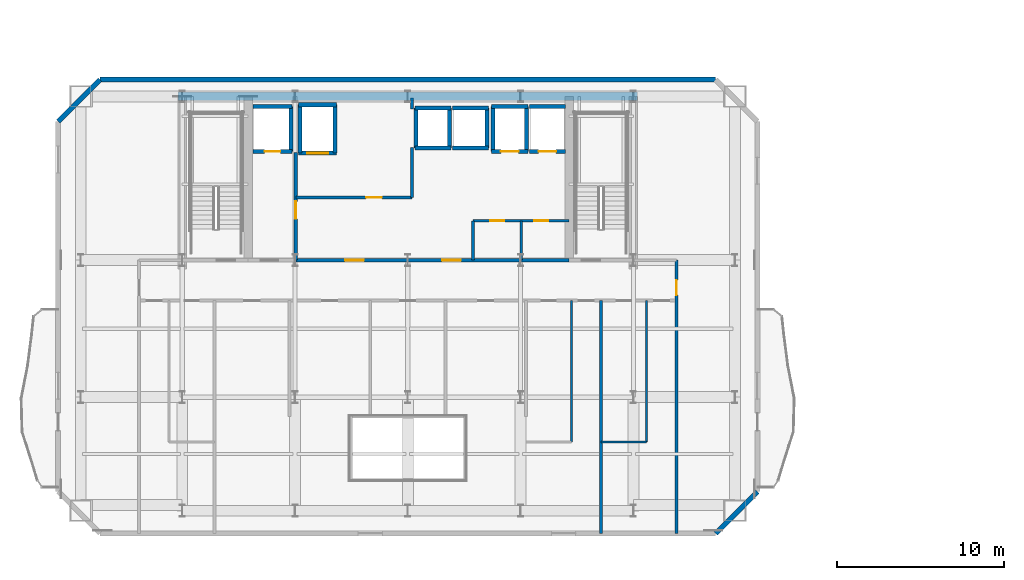
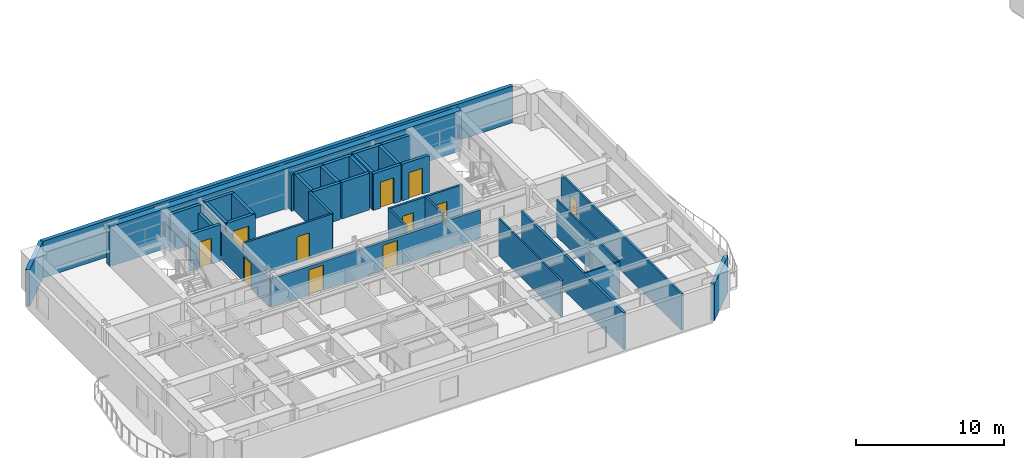
# One storey, part 8 of 16: 37 walls, 11 doors, 11 openings.
"""IFC4 building model written with IfcOpenShell, lengths in metres."""

import ifcopenshell
import ifcopenshell.guid

model = None  # the IFC model being written
_history = None  # IfcOwnerHistory: only IFC2X3 demands one
_inside = {}  # id of a spatial element -> (the spatial element, [elements in it])
_under = {}  # id of a project, library or spatial element -> (it, [spatial elements below it])
_declared = {}  # id of a project -> (the project, [libraries it declares])
_typed = {}  # id of a type object -> (the type object, [elements of that type])
_made_of = {}  # id of a material, layer set ... -> (it, [elements and type objects made of it])


def new_model(schema):
    """Start an empty IFC model of exactly this schema.

    Asked for "IFC4X3", IfcOpenShell would pick the latest addendum, in which some entities
    have other attributes; the version numbers below select the first issue.
    IFC2X3 requires an IfcOwnerHistory on every rooted entity: one is made here for all.
    """
    global model, _history
    if schema == "IFC4X3":
        model = ifcopenshell.file(schema_version=(4, 3, 0, 0))
    else:
        model = ifcopenshell.file(schema=schema)
    _inside.clear()
    _under.clear()
    _declared.clear()
    _typed.clear()
    _made_of.clear()
    _history = None
    if model.schema == "IFC2X3":
        org = make("IfcOrganization", Name="unknown")
        user = make(
            "IfcPersonAndOrganization",
            ThePerson=make("IfcPerson", FamilyName="unknown"),
            TheOrganization=org,
        )
        app = make(
            "IfcApplication",
            ApplicationDeveloper=org,
            Version="unknown",
            ApplicationFullName="unknown",
            ApplicationIdentifier="unknown",
        )
        _history = make(
            "IfcOwnerHistory",
            OwningUser=user,
            OwningApplication=app,
            ChangeAction="ADDED",
            CreationDate=0,
        )
    return model


def make(cls, **values):
    """One entity of the class cls with the attributes given. An attribute that is None is left unset."""
    return model.create_entity(
        cls, **{name: value for name, value in values.items() if value is not None}
    )


def rooted(cls, **values):
    """An entity with a GlobalId (a new one), such as an element, a storey or a relation."""
    return make(cls, GlobalId=ifcopenshell.guid.new(), OwnerHistory=_history, **values)


def si_unit(unit_type, name, prefix=None):
    """IfcSIUnit, for example si_unit("LENGTHUNIT", "METRE", prefix="MILLI")."""
    return make("IfcSIUnit", UnitType=unit_type, Prefix=prefix, Name=name)


def assignment(units):
    """IfcUnitAssignment: the units of a project."""
    return None if units is None else make("IfcUnitAssignment", Units=units)


def point(xyz):
    """IfcCartesianPoint."""
    return None if xyz is None else make("IfcCartesianPoint", Coordinates=xyz)


def direction(xyz):
    """IfcDirection."""
    return None if xyz is None else make("IfcDirection", DirectionRatios=xyz)


def frame(location, z_axis=None, x_axis=None):
    """IfcAxis2Placement3D, a coordinate frame: its origin and axes. An axis left out is left unset."""
    return make(
        "IfcAxis2Placement3D",
        Location=point(location),
        Axis=direction(z_axis),
        RefDirection=direction(x_axis),
    )


def frame_2d(location, x_axis=None):
    """IfcAxis2Placement2D, a coordinate frame in the plane: its origin and x axis."""
    return make(
        "IfcAxis2Placement2D", Location=point(location), RefDirection=direction(x_axis)
    )


def origin():
    """The frame at (0, 0, 0) with its axes left unset."""
    return frame((0.0, 0.0, 0.0))


def place(relative_to, where):
    """IfcLocalPlacement: puts the frame where relative to a parent placement (None: the world)."""
    return make(
        "IfcLocalPlacement", PlacementRelTo=relative_to, RelativePlacement=where
    )


def context(
    kind, dimensions, precision=None, world=None, true_north=None, identifier=None
):
    """IfcGeometricRepresentationContext, for example the 3D "Model" context."""
    return make(
        "IfcGeometricRepresentationContext",
        ContextIdentifier=identifier,
        ContextType=kind,
        CoordinateSpaceDimension=dimensions,
        Precision=precision,
        WorldCoordinateSystem=world,
        TrueNorth=true_north,
    )


def subcontext(parent, identifier, kind, view, scale=None):
    """IfcGeometricRepresentationSubContext, for example "Body" below "Model"."""
    return make(
        "IfcGeometricRepresentationSubContext",
        ContextIdentifier=identifier,
        ContextType=kind,
        ParentContext=parent,
        TargetScale=scale,
        TargetView=view,
    )


def project(units=None, contexts=None):
    """IfcProject with its units and contexts."""
    return rooted(
        "IfcProject",
        Name="project",
        RepresentationContexts=contexts,
        UnitsInContext=assignment(units),
    )


def spatial(cls, under=None, at=None, **own):
    """A site, building, storey or space (cls), placed at a placement, below another one or the project."""
    s = rooted(cls, ObjectPlacement=at, **own)
    if under is not None:
        _under.setdefault(under.id(), (under, []))[1].append(s)
    return s


def profile(cls, at=None, kind="AREA", **sizes):
    """A parametric profile (cls). Its sizes go by their IFC names, for example OverallWidth=200.0."""
    return make(cls, ProfileType=kind, Position=at, **sizes)


def rectangle(**sizes):
    """IfcRectangleProfileDef."""
    return profile("IfcRectangleProfileDef", **sizes)


def extrude(swept, where, along, depth):
    """IfcExtrudedAreaSolid: the profile swept, set in the frame where, extruded along a direction by depth."""
    return make(
        "IfcExtrudedAreaSolid",
        SweptArea=swept,
        Position=where,
        ExtrudedDirection=direction(along),
        Depth=depth,
    )


def shape(context_of_items, identifier, shape_type, items):
    """IfcShapeRepresentation: the items that make up one representation, for example the "Body"."""
    return make(
        "IfcShapeRepresentation",
        ContextOfItems=context_of_items,
        RepresentationIdentifier=identifier,
        RepresentationType=shape_type,
        Items=items,
    )


def material(Name=None, Category=None):
    """IfcMaterial."""
    return make("IfcMaterial", Name=Name, Category=Category)


def layer(
    of_material, thickness, ventilated=None, Name=None, Category=None, Priority=None
):
    """IfcMaterialLayer: one layer of a wall or slab, of a material (None: an air gap)."""
    return make(
        "IfcMaterialLayer",
        Material=of_material,
        LayerThickness=thickness,
        IsVentilated=ventilated,
        Name=Name,
        Category=Category,
        Priority=Priority,
    )


def layer_set(layers, Name=None):
    """IfcMaterialLayerSet."""
    return make("IfcMaterialLayerSet", MaterialLayers=layers, LayerSetName=Name)


def made_of(thing, what):
    """Note that an element or type object is made of a material, layer set ...; save() writes the relation."""
    if what is not None:
        _made_of.setdefault(what.id(), (what, []))[1].append(thing)
    return thing


def type_object(cls, material=None, **own):
    """A type object (cls), such as IfcWallType, which elements share."""
    return made_of(rooted(cls, **own), material)


def element(
    cls,
    number,
    at=None,
    inside=None,
    cuts=None,
    type_object=None,
    material=None,
    context=None,
    identifier="Body",
    shape_type=None,
    held_by="IfcProductDefinitionShape",
    body=None,
    shapes=None,
    **own,
):
    """One element of the class cls, such as IfcWall. Its Tag is "e" and its number.

    at: its placement. inside: the storey or other place that contains it. cuts: it is an
    opening in that element (IfcRelVoidsElement). A single representation is given by context,
    identifier, shape_type and body (its items); several are given by shapes. held_by: the class
    of the entity that holds the representations. save() writes the other relations.
    """
    e = rooted(cls, Tag="e%d" % number, ObjectPlacement=at, **own)
    if body is not None:
        shapes = [shape(context, identifier, shape_type, body)]
    if shapes is not None:
        e.Representation = make(held_by, Representations=shapes)
    if inside is not None:
        _inside.setdefault(inside.id(), (inside, []))[1].append(e)
    if cuts is not None:
        rooted(
            "IfcRelVoidsElement", RelatingBuildingElement=cuts, RelatedOpeningElement=e
        )
    if type_object is not None:
        _typed.setdefault(type_object.id(), (type_object, []))[1].append(e)
    return made_of(e, material)


def fill(opening, filler):
    """IfcRelFillsElement: the door or window that sits in an opening."""
    return rooted(
        "IfcRelFillsElement",
        RelatingOpeningElement=opening,
        RelatedBuildingElement=filler,
    )


def aggregate(whole, parts):
    """IfcRelAggregates: a whole, such as a stair, and the parts it consists of."""
    return rooted("IfcRelAggregates", RelatingObject=whole, RelatedObjects=parts)


def save(model, path):
    """Write the relations noted so far, then the file.

    IfcRelAggregates (storeys below a building ...), IfcRelContainedInSpatialStructure (elements
    in a storey), IfcRelDefinesByType, IfcRelAssociatesMaterial and IfcRelDeclares: one each for
    every whole, place, type object, material and project.
    """
    for whole, parts in _under.values():
        aggregate(whole, parts)
    for where, things in _inside.values():
        rooted(
            "IfcRelContainedInSpatialStructure",
            RelatedElements=things,
            RelatingStructure=where,
        )
    for kind, things in _typed.values():
        rooted("IfcRelDefinesByType", RelatedObjects=things, RelatingType=kind)
    for what, things in _made_of.values():
        rooted("IfcRelAssociatesMaterial", RelatedObjects=things, RelatingMaterial=what)
    for by, libraries in _declared.values():
        rooted("IfcRelDeclares", RelatingContext=by, RelatedDefinitions=libraries)
    model.write(path)


model = new_model("IFC4")

# Units and contexts
model_context = context("Model", 3, precision=1e-05, world=origin(), true_north=direction((0.0, 1.0)))
body_context = subcontext(model_context, "Body", "Model", "MODEL_VIEW")
ifc_project = project(units=[si_unit("LENGTHUNIT", "METRE"), si_unit("AREAUNIT", "SQUARE_METRE"), si_unit("VOLUMEUNIT", "CUBIC_METRE"), si_unit("PLANEANGLEUNIT", "RADIAN"), si_unit("MASSUNIT", "GRAM", prefix="KILO")], contexts=[model_context])

# Site, building, storey
site_placement = place(None, origin())
site = spatial("IfcSite", under=ifc_project, at=site_placement, CompositionType="ELEMENT")
building_placement = place(site_placement, origin())
building = spatial("IfcBuilding", under=site, at=building_placement, Name="Haevon Station Towers", CompositionType="ELEMENT")
storey_placement = place(building_placement, frame((0.0, 0.0, 172.5)))
storey = spatial("IfcBuildingStorey", under=building, at=storey_placement, Name="L47", CompositionType="ELEMENT", Elevation=172.5)

# Wall
ifc_material_1 = material(Name="Gypsum board on steel stud", Category="steel")
ifc_layer_1 = layer(ifc_material_1, 0.179931640625)
ifc_layer_set_1 = layer_set([ifc_layer_1], Name="Gypsum board on steel stud")
wall_type_1 = type_object("IfcWallType", Name="WL-ACU180", PredefinedType="PARTITIONING", material=ifc_layer_set_1)
wall_1_placement = place(storey_placement, frame((49.073974609375, 21.85009765625, 0.0), z_axis=(0.0, 0.0, 1.0), x_axis=(0.0, 1.0, 0.0)))
element("IfcWall", 1, at=wall_1_placement, inside=storey, type_object=wall_type_1, Name="WL-T1PT-L47-21", PredefinedType="PARTITIONING", context=body_context, shape_type="SweptSolid", body=[
    extrude(rectangle(XDim=13.929931640625, YDim=0.179931640625, at=frame_2d((6.96484375, 0.0))), origin(), (0.0, 0.0, 1.0), 3.030029296875),
])

# Wall, opening, door
ifc_layer_2 = layer(ifc_material_1, 0.199951171875)
ifc_layer_set_2 = layer_set([ifc_layer_2], Name="Gypsum board on steel stud")
wall_type_2 = type_object("IfcWallType", Name="WL-COR200", PredefinedType="PARTITIONING", material=ifc_layer_set_2)
wall_2_placement = place(storey_placement, frame((30.800048828125, 38.199951171875, 0.0), z_axis=(0.0, 0.0, 1.0), x_axis=(0.0, 1.0, 0.0)))
wall_2 = element("IfcWall", 2, at=wall_2_placement, inside=storey, type_object=wall_type_2, Name="WL-T1FFL-L47-E", PredefinedType="PARTITIONING", context=body_context, shape_type="SweptSolid", body=[
    extrude(rectangle(XDim=6.449951171875, YDim=0.199951171875, at=frame_2d((3.22509765625, 0.0))), origin(), (0.0, 0.0, 1.0), 2.3798828125),
])
opening_1_placement = place(wall_2_placement, frame((2.469970703125, 0.0, 0.0)))
opening_1 = element("IfcOpeningElement", 3, at=opening_1_placement, cuts=wall_2, Name="Opening DR-T1FFL-L47-E", PredefinedType="OPENING", context=body_context, shape_type="SweptSolid", body=[
    extrude(rectangle(XDim=1.050048828125, YDim=2.10009765625, at=frame_2d((0.52490234375, 1.050048828125))), frame((0.0, 0.10986328125, 0.0), z_axis=(0.0, -1.0, 0.0), x_axis=(1.0, 0.0, 0.0)), (0.0, 0.0, 1.0), 0.219970703125),
])
ifc_material_2 = material(Name="Engineered oak timber", Category="wood")
door_type_1 = type_object("IfcDoorType", Name="DR-FD60-1050", OperationType="NOTDEFINED", PredefinedType="DOOR", material=ifc_material_2)
door_1_placement = place(opening_1_placement, origin())
door_1 = element("IfcDoor", 4, at=door_1_placement, inside=storey, type_object=door_type_1, Name="L47 Tower 1 Firefighting Lift Lobby Door E", OperationType="SINGLE_SWING_RIGHT", OverallHeight=2.10009765625, OverallWidth=1.050048828125, PredefinedType="DOOR", context=body_context, shape_type="SweptSolid", body=[
    extrude(rectangle(XDim=1.050048828125, YDim=2.10009765625, at=frame_2d((0.52490234375, 1.050048828125))), frame((0.0, 0.02490234375, 0.0), z_axis=(0.0, -1.0, 0.0), x_axis=(1.0, 0.0, 0.0)), (0.0, 0.0, 1.0), 0.050048828125),
])
fill(opening_1, door_1)

# Wall, openings, doors
wall_3_placement = place(storey_placement, frame((30.800048828125, 38.199951171875, 0.0), z_axis=(0.0, 0.0, 1.0), x_axis=(1.0, 0.0, 0.0)))
wall_3 = element("IfcWall", 5, at=wall_3_placement, inside=storey, type_object=wall_type_2, Name="WL-T1CLB-L47", PredefinedType="PARTITIONING", context=body_context, shape_type="SweptSolid", body=[
    extrude(rectangle(XDim=16.349853515625, YDim=0.199951171875, at=frame_2d((8.1748046875, 0.0))), origin(), (0.0, 0.0, 1.0), 2.3798828125),
])
opening_2_placement = place(wall_3_placement, frame((2.949951171875, 0.0, 0.0)))
opening_2 = element("IfcOpeningElement", 6, at=opening_2_placement, cuts=wall_3, Name="Opening DR-T1CLB-L47-1", PredefinedType="OPENING", context=body_context, shape_type="SweptSolid", body=[
    extrude(rectangle(XDim=1.1201171875, YDim=2.10009765625, at=frame_2d((0.56005859375, 1.050048828125))), frame((0.0, 0.10986328125, 0.0), z_axis=(0.0, -1.0, 0.0), x_axis=(1.0, 0.0, 0.0)), (0.0, 0.0, 1.0), 0.219970703125),
])
opening_3_placement = place(wall_3_placement, frame((8.75, 0.0, 0.0)))
opening_3 = element("IfcOpeningElement", 7, at=opening_3_placement, cuts=wall_3, Name="Opening DR-T1CLB-L47-2", PredefinedType="OPENING", context=body_context, shape_type="SweptSolid", body=[
    extrude(rectangle(XDim=1.1201171875, YDim=2.10009765625, at=frame_2d((0.56005859375, 1.050048828125))), frame((0.0, 0.10986328125, 0.0), z_axis=(0.0, -1.0, 0.0), x_axis=(1.0, 0.0, 0.0)), (0.0, 0.0, 1.0), 0.219970703125),
])
door_type_2 = type_object("IfcDoorType", Name="DR-ST-1120", OperationType="NOTDEFINED", PredefinedType="DOOR", material=ifc_material_2)
door_2_placement = place(opening_2_placement, origin())
door_2 = element("IfcDoor", 8, at=door_2_placement, inside=storey, type_object=door_type_2, Name="L47 Tower 1 Core Lift Lobby Door 1", OperationType="SINGLE_SWING_RIGHT", OverallHeight=2.10009765625, OverallWidth=1.1201171875, PredefinedType="DOOR", context=body_context, shape_type="SweptSolid", body=[
    extrude(rectangle(XDim=1.1201171875, YDim=2.10009765625, at=frame_2d((0.56005859375, 1.050048828125))), frame((0.0, 0.02490234375, 0.0), z_axis=(0.0, -1.0, 0.0), x_axis=(1.0, 0.0, 0.0)), (0.0, 0.0, 1.0), 0.050048828125),
])
fill(opening_2, door_2)
door_3_placement = place(opening_3_placement, origin())
door_3 = element("IfcDoor", 9, at=door_3_placement, inside=storey, type_object=door_type_2, Name="L47 Tower 1 Core Lift Lobby Door 2", OperationType="SINGLE_SWING_LEFT", OverallHeight=2.10009765625, OverallWidth=1.1201171875, PredefinedType="DOOR", context=body_context, shape_type="SweptSolid", body=[
    extrude(rectangle(XDim=1.1201171875, YDim=2.10009765625, at=frame_2d((0.56005859375, 1.050048828125))), frame((0.0, 0.02490234375, 0.0), z_axis=(0.0, -1.0, 0.0), x_axis=(1.0, 0.0, 0.0)), (0.0, 0.0, 1.0), 0.050048828125),
])
fill(opening_3, door_3)

# Walls
ifc_material_3 = material(Name="Concrete C60/75", Category="concrete")
ifc_layer_3 = layer(ifc_material_3, 0.5)
ifc_layer_set_3 = layer_set([ifc_layer_3], Name="Concrete C60/75")
wall_type_3 = type_object("IfcWallType", Name="WL-CR500", PredefinedType="SHEAR", material=ifc_layer_set_3)
wall_4_placement = place(storey_placement, frame((23.75, 48.0, 0.0), z_axis=(0.0, 0.0, 1.0), x_axis=(1.0, 0.0, 0.0)))
element("IfcWall", 10, at=wall_4_placement, inside=storey, type_object=wall_type_3, Name="WL-T1CR-L47-N", PredefinedType="SHEAR", context=body_context, shape_type="SweptSolid", body=[
    extrude(rectangle(XDim=27.5, YDim=0.5, at=frame_2d((13.75, 0.0))), origin(), (0.0, 0.0, 1.0), 3.300048828125),
])
ifc_material_4 = material(Name="Precast concrete C45/55", Category="concrete")
ifc_layer_4 = layer(ifc_material_4, 0.300048828125)
ifc_layer_set_4 = layer_set([ifc_layer_4], Name="Precast concrete C45/55")
wall_type_4 = type_object("IfcWallType", Name="WL-EXT-PIER300", PredefinedType="SOLIDWALL", material=ifc_layer_set_4)
wall_5_placement = place(storey_placement, frame((16.574951171875, 46.5, 0.0), z_axis=(0.0, 0.0, 1.0), x_axis=(0.707106781187, 0.707106781187, 0.0)))
element("IfcWall", 11, at=wall_5_placement, inside=storey, type_object=wall_type_4, Name="WL-T1-L47-NWC", PredefinedType="SOLIDWALL", context=body_context, shape_type="SweptSolid", body=[
    extrude(rectangle(XDim=3.53564453125, YDim=0.300048828125, at=frame_2d((1.767822265625, 0.0))), origin(), (0.0, 0.0, 1.0), 3.030029296875),
])
wall_6_placement = place(storey_placement, frame((19.074951171875, 49.0, 0.0), z_axis=(0.0, 0.0, 1.0), x_axis=(1.0, 0.0, 0.0)))
element("IfcWall", 12, at=wall_6_placement, inside=storey, type_object=wall_type_4, Name="WL-T1-L47-N", PredefinedType="SOLIDWALL", context=body_context, shape_type="SweptSolid", body=[
    extrude(rectangle(XDim=36.85009765625, YDim=0.300048828125, at=frame_2d((18.425048828125, 0.0))), origin(), (0.0, 0.0, 1.0), 3.030029296875),
])
wall_7_placement = place(storey_placement, frame((58.425048828125, 24.35009765625, 0.0), z_axis=(0.0, 0.0, 1.0), x_axis=(-0.707106781187, -0.707106781187, 0.0)))
element("IfcWall", 13, at=wall_7_placement, inside=storey, type_object=wall_type_4, Name="WL-T1-L47-SEC", PredefinedType="SOLIDWALL", context=body_context, shape_type="SweptSolid", body=[
    extrude(rectangle(XDim=3.53564453125, YDim=0.300048828125, at=frame_2d((1.767822265625, 0.0))), origin(), (0.0, 0.0, 1.0), 3.030029296875),
])
ifc_layer_5 = layer(ifc_material_1, 0.125)
ifc_layer_set_5 = layer_set([ifc_layer_5], Name="Gypsum board on steel stud")
wall_type_5 = type_object("IfcWallType", Name="WL-PRT125", PredefinedType="PARTITIONING", material=ifc_layer_set_5)
wall_8_placement = place(storey_placement, frame((47.2939453125, 27.317138671875, 0.0), z_axis=(0.0, 0.0, 1.0), x_axis=(0.0, 1.0, 0.0)))
element("IfcWall", 14, at=wall_8_placement, inside=storey, type_object=wall_type_5, Name="WL-T1PT-L47-20", PredefinedType="PARTITIONING", context=body_context, shape_type="SweptSolid", body=[
    extrude(rectangle(XDim=8.462890625, YDim=0.125, at=frame_2d((4.2314453125, 0.0))), origin(), (0.0, 0.0, 1.0), 3.030029296875),
])
wall_9_placement = place(storey_placement, frame((49.073974609375, 27.317138671875, 0.0), z_axis=(0.0, 0.0, 1.0), x_axis=(1.0, 0.0, 0.0)))
element("IfcWall", 15, at=wall_9_placement, inside=storey, type_object=wall_type_5, Name="WL-T1PT-L47-22", PredefinedType="PARTITIONING", context=body_context, shape_type="SweptSolid", body=[
    extrude(rectangle(XDim=2.720947265625, YDim=0.125, at=frame_2d((1.3603515625, 0.0))), origin(), (0.0, 0.0, 1.0), 3.030029296875),
])
wall_10_placement = place(storey_placement, frame((51.794921875, 27.317138671875, 0.0), z_axis=(0.0, 0.0, 1.0), x_axis=(0.0, 1.0, 0.0)))
element("IfcWall", 16, at=wall_10_placement, inside=storey, type_object=wall_type_5, Name="WL-T1PT-L47-23", PredefinedType="PARTITIONING", context=body_context, shape_type="SweptSolid", body=[
    extrude(rectangle(XDim=8.462890625, YDim=0.125, at=frame_2d((4.2314453125, 0.0))), origin(), (0.0, 0.0, 1.0), 3.030029296875),
])

# Wall, opening, door
ifc_layer_6 = layer(ifc_material_1, 0.159912109375)
ifc_layer_set_6 = layer_set([ifc_layer_6], Name="Gypsum board on steel stud")
wall_type_6 = type_object("IfcWallType", Name="WL-PRT160", PredefinedType="PARTITIONING", material=ifc_layer_set_6)
wall_11_placement = place(storey_placement, frame((30.800048828125, 41.949951171875, 0.0), z_axis=(0.0, 0.0, 1.0), x_axis=(1.0, 0.0, 0.0)))
wall_11 = element("IfcWall", 17, at=wall_11_placement, inside=storey, type_object=wall_type_6, Name="WL-T1CW-L47-01", PredefinedType="PARTITIONING", context=body_context, shape_type="SweptSolid", body=[
    extrude(rectangle(XDim=6.949951171875, YDim=0.159912109375, at=frame_2d((3.47509765625, 0.0))), origin(), (0.0, 0.0, 1.0), 3.030029296875),
])
opening_4_placement = place(wall_11_placement, frame((4.199951171875, 0.0, 0.0)))
opening_4 = element("IfcOpeningElement", 18, at=opening_4_placement, cuts=wall_11, Name="Opening DR-WL-T1CW-L47-01-1", PredefinedType="OPENING", context=body_context, shape_type="SweptSolid", body=[
    extrude(rectangle(XDim=0.949951171875, YDim=2.10009765625, at=frame_2d((0.47509765625, 1.050048828125))), frame((0.0, 0.08984375, 0.0), z_axis=(0.0, -1.0, 0.0), x_axis=(1.0, 0.0, 0.0)), (0.0, 0.0, 1.0), 0.179931640625),
])
door_type_3 = type_object("IfcDoorType", Name="DR-FD60-950", OperationType="NOTDEFINED", PredefinedType="DOOR", material=ifc_material_2)
door_4_placement = place(opening_4_placement, origin())
door_4 = element("IfcDoor", 19, at=door_4_placement, inside=storey, type_object=door_type_3, Name="L47 Tower 1 Core Room Door 1-1", OperationType="SINGLE_SWING_RIGHT", OverallHeight=2.10009765625, OverallWidth=0.949951171875, PredefinedType="DOOR", context=body_context, shape_type="SweptSolid", body=[
    extrude(rectangle(XDim=0.949951171875, YDim=2.10009765625, at=frame_2d((0.47509765625, 1.050048828125))), frame((0.0, 0.02490234375, 0.0), z_axis=(0.0, -1.0, 0.0), x_axis=(1.0, 0.0, 0.0)), (0.0, 0.0, 1.0), 0.050048828125),
])
fill(opening_4, door_4)

# Walls
wall_12_placement = place(storey_placement, frame((37.75, 41.949951171875, 0.0), z_axis=(0.0, 0.0, 1.0), x_axis=(0.0, 1.0, 0.0)))
element("IfcWall", 20, at=wall_12_placement, inside=storey, type_object=wall_type_6, Name="WL-T1CW-L47-02", PredefinedType="PARTITIONING", context=body_context, shape_type="SweptSolid", body=[
    extrude(rectangle(XDim=3.0, YDim=0.159912109375, at=frame_2d((1.5, 0.0))), origin(), (0.0, 0.0, 1.0), 3.030029296875),
])
wall_13_placement = place(storey_placement, frame((37.75, 47.25, 0.0), z_axis=(0.0, 0.0, 1.0), x_axis=(0.0, 1.0, 0.0)))
element("IfcWall", 21, at=wall_13_placement, inside=storey, type_object=wall_type_6, Name="WL-T1CW-L47-03", PredefinedType="PARTITIONING", context=body_context, shape_type="SweptSolid", body=[
    extrude(rectangle(XDim=0.64990234375, YDim=0.159912109375, at=frame_2d((0.324951171875, 0.0))), origin(), (0.0, 0.0, 1.0), 3.030029296875),
])
for number, where, z_axis, x_axis, name in (
    (22, (41.39990234375, 38.199951171875, 0.0), (0.0, 0.0, 1.0), (0.0, 1.0, 0.0), "WL-T1CW-L47-04"),
    (23, (44.280029296875, 38.199951171875, 0.0), (0.0, 0.0, 1.0), (0.0, 1.0, 0.0), "WL-T1CW-L47-05"),
):
    element("IfcWall", number, at=place(storey_placement, frame(where, z_axis=z_axis, x_axis=x_axis)), inside=storey, type_object=wall_type_6, Name=name, PredefinedType="PARTITIONING", context=body_context, shape_type="SweptSolid", body=[
        extrude(rectangle(XDim=2.35009765625, YDim=0.159912109375, at=frame_2d((1.175048828125, 0.0))), origin(), (0.0, 0.0, 1.0), 3.030029296875),
    ])

# Wall, openings, doors
wall_14_placement = place(storey_placement, frame((41.39990234375, 40.550048828125, 0.0), z_axis=(0.0, 0.0, 1.0), x_axis=(1.0, 0.0, 0.0)))
wall_14 = element("IfcWall", 24, at=wall_14_placement, inside=storey, type_object=wall_type_6, Name="WL-T1CW-L47-06", PredefinedType="PARTITIONING", context=body_context, shape_type="SweptSolid", body=[
    extrude(rectangle(XDim=5.75, YDim=0.159912109375, at=frame_2d((2.875, 0.0))), origin(), (0.0, 0.0, 1.0), 3.030029296875),
])
opening_5_placement = place(wall_14_placement, frame((1.034912109375, 0.0, 0.0)))
opening_5 = element("IfcOpeningElement", 25, at=opening_5_placement, cuts=wall_14, Name="Opening DR-WL-T1CW-L47-06-1", PredefinedType="OPENING", context=body_context, shape_type="SweptSolid", body=[
    extrude(rectangle(XDim=0.85009765625, YDim=2.050048828125, at=frame_2d((0.425048828125, 1.02490234375))), frame((0.0, 0.08984375, 0.0), z_axis=(0.0, -1.0, 0.0), x_axis=(1.0, 0.0, 0.0)), (0.0, 0.0, 1.0), 0.179931640625),
])
opening_6_placement = place(wall_14_placement, frame((3.655029296875, 0.0, 0.0)))
opening_6 = element("IfcOpeningElement", 26, at=opening_6_placement, cuts=wall_14, Name="Opening DR-WL-T1CW-L47-06-2", PredefinedType="OPENING", context=body_context, shape_type="SweptSolid", body=[
    extrude(rectangle(XDim=0.85009765625, YDim=2.050048828125, at=frame_2d((0.425048828125, 1.02490234375))), frame((0.0, 0.08984375, 0.0), z_axis=(0.0, -1.0, 0.0), x_axis=(1.0, 0.0, 0.0)), (0.0, 0.0, 1.0), 0.179931640625),
])
door_type_4 = type_object("IfcDoorType", Name="DR-FD30-850", OperationType="NOTDEFINED", PredefinedType="DOOR", material=ifc_material_2)
door_5_placement = place(opening_5_placement, origin())
door_5 = element("IfcDoor", 27, at=door_5_placement, inside=storey, type_object=door_type_4, Name="L47 Tower 1 Core Room Door 6-1", OperationType="SINGLE_SWING_LEFT", OverallHeight=2.050048828125, OverallWidth=0.85009765625, PredefinedType="DOOR", context=body_context, shape_type="SweptSolid", body=[
    extrude(rectangle(XDim=0.85009765625, YDim=2.050048828125, at=frame_2d((0.425048828125, 1.02490234375))), frame((0.0, 0.02490234375, 0.0), z_axis=(0.0, -1.0, 0.0), x_axis=(1.0, 0.0, 0.0)), (0.0, 0.0, 1.0), 0.050048828125),
])
fill(opening_5, door_5)
door_6_placement = place(opening_6_placement, origin())
door_6 = element("IfcDoor", 28, at=door_6_placement, inside=storey, type_object=door_type_4, Name="L47 Tower 1 Core Room Door 6-2", OperationType="SINGLE_SWING_RIGHT", OverallHeight=2.050048828125, OverallWidth=0.85009765625, PredefinedType="DOOR", context=body_context, shape_type="SweptSolid", body=[
    extrude(rectangle(XDim=0.85009765625, YDim=2.050048828125, at=frame_2d((0.425048828125, 1.02490234375))), frame((0.0, 0.02490234375, 0.0), z_axis=(0.0, -1.0, 0.0), x_axis=(1.0, 0.0, 0.0)), (0.0, 0.0, 1.0), 0.050048828125),
])
fill(opening_6, door_6)

# Wall, opening, door
wall_15_placement = place(storey_placement, frame((53.574951171875, 21.85009765625, 0.0), z_axis=(0.0, 0.0, 1.0), x_axis=(0.0, 1.0, 0.0)))
wall_15 = element("IfcWall", 29, at=wall_15_placement, inside=storey, type_object=wall_type_6, Name="WL-T1PT-L47-04", PredefinedType="PARTITIONING", context=body_context, shape_type="SweptSolid", body=[
    extrude(rectangle(XDim=16.349853515625, YDim=0.159912109375, at=frame_2d((8.1748046875, 0.0))), origin(), (0.0, 0.0, 1.0), 3.030029296875),
])
opening_7_placement = place(wall_15_placement, frame((14.25, 0.0, 0.0)))
opening_7 = element("IfcOpeningElement", 30, at=opening_7_placement, cuts=wall_15, Name="Opening DR-WL-T1PT-L47-04-01", PredefinedType="OPENING", context=body_context, shape_type="SweptSolid", body=[
    extrude(rectangle(XDim=0.89990234375, YDim=2.050048828125, at=frame_2d((0.449951171875, 1.02490234375))), frame((0.0, 0.08984375, 0.0), z_axis=(0.0, -1.0, 0.0), x_axis=(1.0, 0.0, 0.0)), (0.0, 0.0, 1.0), 0.179931640625),
])
door_type_5 = type_object("IfcDoorType", Name="DR-INT-900", OperationType="NOTDEFINED", PredefinedType="DOOR", material=ifc_material_2)
door_7_placement = place(opening_7_placement, origin())
door_7 = element("IfcDoor", 31, at=door_7_placement, inside=storey, type_object=door_type_5, Name="L47 Tower 1 Room Door 4-1", OperationType="SINGLE_SWING_RIGHT", OverallHeight=2.050048828125, OverallWidth=0.89990234375, PredefinedType="DOOR", context=body_context, shape_type="SweptSolid", body=[
    extrude(rectangle(XDim=0.89990234375, YDim=2.050048828125, at=frame_2d((0.449951171875, 1.02490234375))), frame((0.0, 0.02490234375, 0.0), z_axis=(0.0, -1.0, 0.0), x_axis=(1.0, 0.0, 0.0)), (0.0, 0.0, 1.0), 0.050048828125),
])
fill(opening_7, door_7)

ifc_material_5 = material(Name="Concrete C40/50", Category="concrete")
ifc_layer_7 = layer(ifc_material_5, 0.239990234375)
ifc_layer_set_7 = layer_set([ifc_layer_7], Name="Concrete C40/50")
wall_type_7 = type_object("IfcWallType", Name="WL-SHF240", PredefinedType="PARTITIONING", material=ifc_layer_set_7)
wall_16_placement = place(storey_placement, frame((28.219970703125, 44.699951171875, 0.0), z_axis=(0.0, 0.0, 1.0), x_axis=(1.0, 0.0, 0.0)))
wall_16 = element("IfcWall", 32, at=wall_16_placement, inside=storey, type_object=wall_type_7, Name="WL-SHF-FL1-L47", PredefinedType="PARTITIONING", context=body_context, shape_type="SweptSolid", body=[
    extrude(rectangle(XDim=2.360107421875, YDim=0.239990234375, at=frame_2d((1.18017578125, 0.0))), origin(), (0.0, 0.0, 1.0), 3.030029296875),
])
opening_8_placement = place(wall_16_placement, frame((0.705078125, 0.0, 0.0)))
opening_8 = element("IfcOpeningElement", 33, at=opening_8_placement, cuts=wall_16, Name="Opening LD-FL1-L47", PredefinedType="OPENING", context=body_context, shape_type="SweptSolid", body=[
    extrude(rectangle(XDim=0.949951171875, YDim=2.14990234375, at=frame_2d((0.47509765625, 1.074951171875))), frame((0.0, 0.1298828125, 0.0), z_axis=(0.0, -1.0, 0.0), x_axis=(1.0, 0.0, 0.0)), (0.0, 0.0, 1.0), 0.260009765625),
])
ifc_material_6 = material(Name="Stainless steel and rated core", Category="steel")
door_type_6 = type_object("IfcDoorType", Name="LD-FL950", OperationType="SLIDING_TO_LEFT", PredefinedType="DOOR", material=ifc_material_6)
door_8_placement = place(opening_8_placement, origin())
door_8 = element("IfcDoor", 34, at=door_8_placement, inside=storey, type_object=door_type_6, Name="L47 Lift FL1 Sliding Landing Door", OperationType="SLIDING_TO_LEFT", OverallHeight=2.14990234375, OverallWidth=0.949951171875, PredefinedType="DOOR", context=body_context, shape_type="SweptSolid", body=[
    extrude(rectangle(XDim=0.949951171875, YDim=2.14990234375, at=frame_2d((0.47509765625, 1.074951171875))), frame((0.0, 0.02490234375, 0.0), z_axis=(0.0, -1.0, 0.0), x_axis=(1.0, 0.0, 0.0)), (0.0, 0.0, 1.0), 0.050048828125),
])
fill(opening_8, door_8)

# Walls
wall_17_placement = place(storey_placement, frame((28.219970703125, 47.39990234375, 0.0), z_axis=(0.0, 0.0, 1.0), x_axis=(1.0, 0.0, 0.0)))
element("IfcWall", 35, at=wall_17_placement, inside=storey, type_object=wall_type_7, Name="WL-SHF-FL1-L47-N", PredefinedType="PARTITIONING", context=body_context, shape_type="SweptSolid", body=[
    extrude(rectangle(XDim=2.360107421875, YDim=0.239990234375, at=frame_2d((1.18017578125, 0.0))), origin(), (0.0, 0.0, 1.0), 3.030029296875),
])
wall_18_placement = place(storey_placement, frame((30.5, 44.699951171875, 0.0), z_axis=(0.0, 0.0, 1.0), x_axis=(0.0, 1.0, 0.0)))
element("IfcWall", 36, at=wall_18_placement, inside=storey, type_object=wall_type_7, Name="WL-SHF-FL1-L47-E", PredefinedType="PARTITIONING", context=body_context, shape_type="SweptSolid", body=[
    extrude(rectangle(XDim=2.699951171875, YDim=0.239990234375, at=frame_2d((1.35009765625, 0.0))), origin(), (0.0, 0.0, 1.0), 2.3798828125),
])

# Wall, opening, door
wall_19_placement = place(storey_placement, frame((30.969970703125, 44.60009765625, 0.0), z_axis=(0.0, 0.0, 1.0), x_axis=(1.0, 0.0, 0.0)))
wall_19 = element("IfcWall", 37, at=wall_19_placement, inside=storey, type_object=wall_type_7, Name="WL-SHF-SL1-L47", PredefinedType="PARTITIONING", context=body_context, shape_type="SweptSolid", body=[
    extrude(rectangle(XDim=2.260009765625, YDim=0.239990234375, at=frame_2d((1.1298828125, 0.0))), origin(), (0.0, 0.0, 1.0), 3.030029296875),
])
opening_9_placement = place(wall_19_placement, frame((0.5048828125, 0.0, 0.0)))
opening_9 = element("IfcOpeningElement", 38, at=opening_9_placement, cuts=wall_19, Name="Opening LD-SL1-L47", PredefinedType="OPENING", context=body_context, shape_type="SweptSolid", body=[
    extrude(rectangle(XDim=1.25, YDim=2.199951171875, at=frame_2d((0.625, 1.10009765625))), frame((0.0, 0.1298828125, 0.0), z_axis=(0.0, -1.0, 0.0), x_axis=(1.0, 0.0, 0.0)), (0.0, 0.0, 1.0), 0.260009765625),
])
door_type_7 = type_object("IfcDoorType", Name="LD-SL1250", OperationType="SLIDING_TO_LEFT", PredefinedType="DOOR", material=ifc_material_6)
door_9_placement = place(opening_9_placement, origin())
door_9 = element("IfcDoor", 39, at=door_9_placement, inside=storey, type_object=door_type_7, Name="L47 Lift SL1 Sliding Landing Door", OperationType="SLIDING_TO_LEFT", OverallHeight=2.199951171875, OverallWidth=1.25, PredefinedType="DOOR", context=body_context, shape_type="SweptSolid", body=[
    extrude(rectangle(XDim=1.25, YDim=2.199951171875, at=frame_2d((0.625, 1.10009765625))), frame((0.0, 0.02490234375, 0.0), z_axis=(0.0, -1.0, 0.0), x_axis=(1.0, 0.0, 0.0)), (0.0, 0.0, 1.0), 0.050048828125),
])
fill(opening_9, door_9)

# Walls
wall_20_placement = place(storey_placement, frame((30.969970703125, 47.5, 0.0), z_axis=(0.0, 0.0, 1.0), x_axis=(1.0, 0.0, 0.0)))
element("IfcWall", 40, at=wall_20_placement, inside=storey, type_object=wall_type_7, Name="WL-SHF-SL1-L47-N", PredefinedType="PARTITIONING", context=body_context, shape_type="SweptSolid", body=[
    extrude(rectangle(XDim=2.260009765625, YDim=0.239990234375, at=frame_2d((1.1298828125, 0.0))), origin(), (0.0, 0.0, 1.0), 3.030029296875),
])
for number, where, z_axis, x_axis, name in (
    (41, (31.050048828125, 44.60009765625, 0.0), (0.0, 0.0, 1.0), (0.0, 1.0, 0.0), "WL-SHF-SL1-L47-W"),
    (42, (33.14990234375, 44.60009765625, 0.0), (0.0, 0.0, 1.0), (0.0, 1.0, 0.0), "WL-SHF-SL1-L47-E"),
):
    element("IfcWall", number, at=place(storey_placement, frame(where, z_axis=z_axis, x_axis=x_axis)), inside=storey, type_object=wall_type_7, Name=name, PredefinedType="PARTITIONING", context=body_context, shape_type="SweptSolid", body=[
        extrude(rectangle(XDim=2.89990234375, YDim=0.239990234375, at=frame_2d((1.449951171875, 0.0))), origin(), (0.0, 0.0, 1.0), 3.030029296875),
    ])
for number, where, z_axis, x_axis, name in (
    (43, (37.919921875, 44.89990234375, 0.0), (0.0, 0.0, 1.0), (1.0, 0.0, 0.0), "WL-SHF-PL3-L47"),
    (44, (37.919921875, 47.300048828125, 0.0), (0.0, 0.0, 1.0), (1.0, 0.0, 0.0), "WL-SHF-PL3-L47-N"),
):
    element("IfcWall", number, at=place(storey_placement, frame(where, z_axis=z_axis, x_axis=x_axis)), inside=storey, type_object=wall_type_7, Name=name, PredefinedType="PARTITIONING", context=body_context, shape_type="SweptSolid", body=[
        extrude(rectangle(XDim=2.16015625, YDim=0.239990234375, at=frame_2d((1.080078125, 0.0))), origin(), (0.0, 0.0, 1.0), 3.030029296875),
    ])
for number, where, z_axis, x_axis, name in (
    (45, (38.0, 44.89990234375, 0.0), (0.0, 0.0, 1.0), (0.0, 1.0, 0.0), "WL-SHF-PL3-L47-W"),
    (46, (40.0, 44.89990234375, 0.0), (0.0, 0.0, 1.0), (0.0, 1.0, 0.0), "WL-SHF-PL3-L47-E"),
):
    element("IfcWall", number, at=place(storey_placement, frame(where, z_axis=z_axis, x_axis=x_axis)), inside=storey, type_object=wall_type_7, Name=name, PredefinedType="PARTITIONING", context=body_context, shape_type="SweptSolid", body=[
        extrude(rectangle(XDim=2.400146484375, YDim=0.239990234375, at=frame_2d((1.2001953125, 0.0))), origin(), (0.0, 0.0, 1.0), 3.030029296875),
    ])
for number, where, z_axis, x_axis, name in (
    (47, (40.169921875, 44.89990234375, 0.0), (0.0, 0.0, 1.0), (1.0, 0.0, 0.0), "WL-SHF-PL4-L47"),
    (48, (40.169921875, 47.300048828125, 0.0), (0.0, 0.0, 1.0), (1.0, 0.0, 0.0), "WL-SHF-PL4-L47-N"),
):
    element("IfcWall", number, at=place(storey_placement, frame(where, z_axis=z_axis, x_axis=x_axis)), inside=storey, type_object=wall_type_7, Name=name, PredefinedType="PARTITIONING", context=body_context, shape_type="SweptSolid", body=[
        extrude(rectangle(XDim=2.16015625, YDim=0.239990234375, at=frame_2d((1.080078125, 0.0))), origin(), (0.0, 0.0, 1.0), 3.030029296875),
    ])
wall_21_placement = place(storey_placement, frame((42.25, 44.89990234375, 0.0), z_axis=(0.0, 0.0, 1.0), x_axis=(0.0, 1.0, 0.0)))
element("IfcWall", 49, at=wall_21_placement, inside=storey, type_object=wall_type_7, Name="WL-SHF-PL4-L47-E", PredefinedType="PARTITIONING", context=body_context, shape_type="SweptSolid", body=[
    extrude(rectangle(XDim=2.400146484375, YDim=0.239990234375, at=frame_2d((1.2001953125, 0.0))), origin(), (0.0, 0.0, 1.0), 3.030029296875),
])

# Wall, opening, door
wall_22_placement = place(storey_placement, frame((42.52001953125, 44.699951171875, 0.0), z_axis=(0.0, 0.0, 1.0), x_axis=(1.0, 0.0, 0.0)))
wall_22 = element("IfcWall", 50, at=wall_22_placement, inside=storey, type_object=wall_type_7, Name="WL-SHF-PL5-L47", PredefinedType="PARTITIONING", context=body_context, shape_type="SweptSolid", body=[
    extrude(rectangle(XDim=2.159912109375, YDim=0.239990234375, at=frame_2d((1.080078125, 0.0))), origin(), (0.0, 0.0, 1.0), 3.030029296875),
])
opening_10_placement = place(wall_22_placement, frame((0.554931640625, 0.0, 0.0)))
opening_10 = element("IfcOpeningElement", 51, at=opening_10_placement, cuts=wall_22, Name="Opening LD-PL5-L47", PredefinedType="OPENING", context=body_context, shape_type="SweptSolid", body=[
    extrude(rectangle(XDim=1.050048828125, YDim=2.14990234375, at=frame_2d((0.52490234375, 1.074951171875))), frame((0.0, 0.1298828125, 0.0), z_axis=(0.0, -1.0, 0.0), x_axis=(1.0, 0.0, 0.0)), (0.0, 0.0, 1.0), 0.260009765625),
])
door_type_8 = type_object("IfcDoorType", Name="LD-PL1050", OperationType="SLIDING_TO_LEFT", PredefinedType="DOOR", material=ifc_material_6)
door_10_placement = place(opening_10_placement, origin())
door_10 = element("IfcDoor", 52, at=door_10_placement, inside=storey, type_object=door_type_8, Name="L47 Lift PL5 Sliding Landing Door", OperationType="SLIDING_TO_LEFT", OverallHeight=2.14990234375, OverallWidth=1.050048828125, PredefinedType="DOOR", context=body_context, shape_type="SweptSolid", body=[
    extrude(rectangle(XDim=1.050048828125, YDim=2.14990234375, at=frame_2d((0.52490234375, 1.074951171875))), frame((0.0, 0.02490234375, 0.0), z_axis=(0.0, -1.0, 0.0), x_axis=(1.0, 0.0, 0.0)), (0.0, 0.0, 1.0), 0.050048828125),
])
fill(opening_10, door_10)

# Walls
wall_23_placement = place(storey_placement, frame((42.52001953125, 47.39990234375, 0.0), z_axis=(0.0, 0.0, 1.0), x_axis=(1.0, 0.0, 0.0)))
element("IfcWall", 53, at=wall_23_placement, inside=storey, type_object=wall_type_7, Name="WL-SHF-PL5-L47-N", PredefinedType="PARTITIONING", context=body_context, shape_type="SweptSolid", body=[
    extrude(rectangle(XDim=2.159912109375, YDim=0.239990234375, at=frame_2d((1.080078125, 0.0))), origin(), (0.0, 0.0, 1.0), 3.030029296875),
])
for number, where, z_axis, x_axis, name in (
    (54, (42.60009765625, 44.699951171875, 0.0), (0.0, 0.0, 1.0), (0.0, 1.0, 0.0), "WL-SHF-PL5-L47-W"),
    (55, (44.60009765625, 44.699951171875, 0.0), (0.0, 0.0, 1.0), (0.0, 1.0, 0.0), "WL-SHF-PL5-L47-E"),
):
    element("IfcWall", number, at=place(storey_placement, frame(where, z_axis=z_axis, x_axis=x_axis)), inside=storey, type_object=wall_type_7, Name=name, PredefinedType="PARTITIONING", context=body_context, shape_type="SweptSolid", body=[
        extrude(rectangle(XDim=2.699951171875, YDim=0.239990234375, at=frame_2d((1.35009765625, 0.0))), origin(), (0.0, 0.0, 1.0), 3.030029296875),
    ])

# Wall, opening, door
wall_24_placement = place(storey_placement, frame((44.77001953125, 44.699951171875, 0.0), z_axis=(0.0, 0.0, 1.0), x_axis=(1.0, 0.0, 0.0)))
wall_24 = element("IfcWall", 56, at=wall_24_placement, inside=storey, type_object=wall_type_7, Name="WL-SHF-PL6-L47", PredefinedType="PARTITIONING", context=body_context, shape_type="SweptSolid", body=[
    extrude(rectangle(XDim=2.159912109375, YDim=0.239990234375, at=frame_2d((1.080078125, 0.0))), origin(), (0.0, 0.0, 1.0), 3.030029296875),
])
opening_11_placement = place(wall_24_placement, frame((0.554931640625, 0.0, 0.0)))
opening_11 = element("IfcOpeningElement", 57, at=opening_11_placement, cuts=wall_24, Name="Opening LD-PL6-L47", PredefinedType="OPENING", context=body_context, shape_type="SweptSolid", body=[
    extrude(rectangle(XDim=1.050048828125, YDim=2.14990234375, at=frame_2d((0.52490234375, 1.074951171875))), frame((0.0, 0.1298828125, 0.0), z_axis=(0.0, -1.0, 0.0), x_axis=(1.0, 0.0, 0.0)), (0.0, 0.0, 1.0), 0.260009765625),
])
door_11_placement = place(opening_11_placement, origin())
door_11 = element("IfcDoor", 58, at=door_11_placement, inside=storey, type_object=door_type_8, Name="L47 Lift PL6 Sliding Landing Door", OperationType="SLIDING_TO_LEFT", OverallHeight=2.14990234375, OverallWidth=1.050048828125, PredefinedType="DOOR", context=body_context, shape_type="SweptSolid", body=[
    extrude(rectangle(XDim=1.050048828125, YDim=2.14990234375, at=frame_2d((0.52490234375, 1.074951171875))), frame((0.0, 0.02490234375, 0.0), z_axis=(0.0, -1.0, 0.0), x_axis=(1.0, 0.0, 0.0)), (0.0, 0.0, 1.0), 0.050048828125),
])
fill(opening_11, door_11)

# Wall
wall_25_placement = place(storey_placement, frame((44.77001953125, 47.39990234375, 0.0), z_axis=(0.0, 0.0, 1.0), x_axis=(1.0, 0.0, 0.0)))
element("IfcWall", 59, at=wall_25_placement, inside=storey, type_object=wall_type_7, Name="WL-SHF-PL6-L47-N", PredefinedType="PARTITIONING", context=body_context, shape_type="SweptSolid", body=[
    extrude(rectangle(XDim=2.159912109375, YDim=0.239990234375, at=frame_2d((1.080078125, 0.0))), origin(), (0.0, 0.0, 1.0), 3.030029296875),
])

save(model, "model.ifc")
